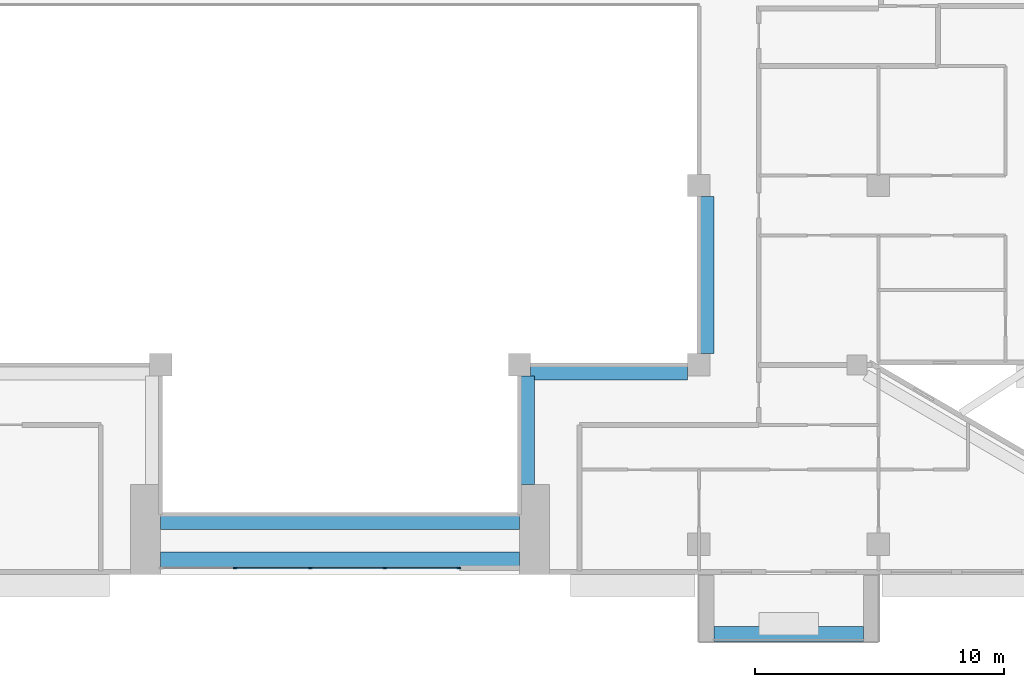
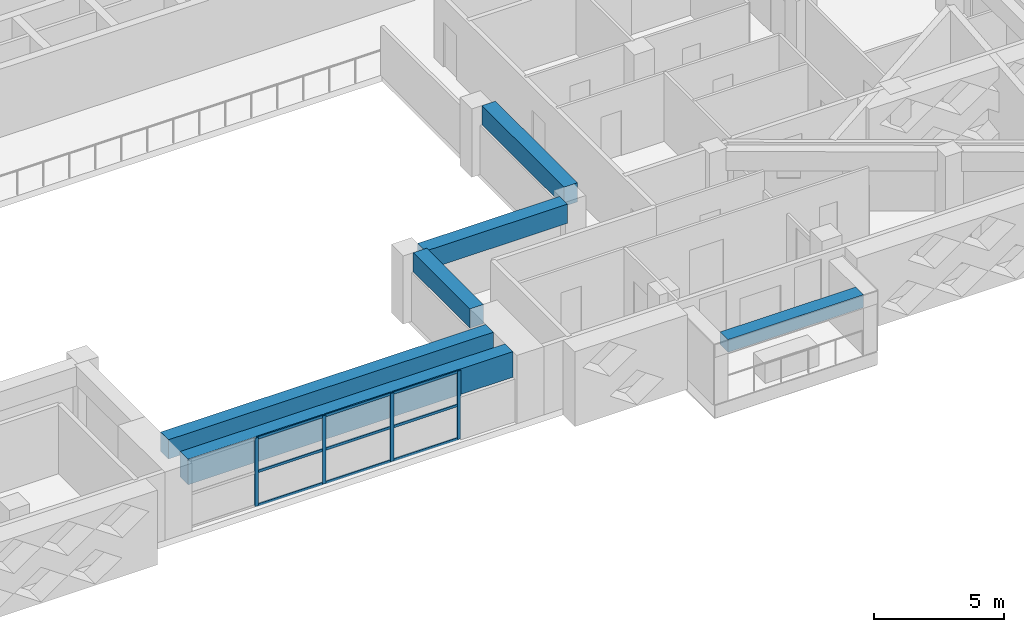
# One storey, part 4 of 20: 13 members, 6 beams, 1 element without a shape of its own.
"""IFC4 building model written with IfcOpenShell, lengths in metres."""

from ifc_helpers import new_model, si_unit, direction, frame, origin, origin_2d, place, context, subcontext, project, spatial, rectangle, extrude, source, transform, mapped, material, layer, layer_set, material_profile, profile_set, type_object, element, aggregate, save


model = new_model("IFC4")

# Units and contexts
model_context = context("Model", 3, precision=1e-05, world=origin(), true_north=direction((0.0, 1.0)))
body_context = subcontext(model_context, "Body", "Model", "MODEL_VIEW")
ifc_project = project(units=[si_unit("LENGTHUNIT", "METRE"), si_unit("AREAUNIT", "SQUARE_METRE"), si_unit("VOLUMEUNIT", "CUBIC_METRE"), si_unit("PLANEANGLEUNIT", "RADIAN"), si_unit("MASSUNIT", "GRAM", prefix="KILO")], contexts=[model_context])

# Site, building, storey
site_placement = place(None, origin())
site = spatial("IfcSite", under=ifc_project, at=site_placement, CompositionType="ELEMENT")
building_placement = place(site_placement, origin())
building = spatial("IfcBuilding", under=site, at=building_placement, Name="Saffron Iwan Residences", CompositionType="ELEMENT")
storey_placement = place(building_placement, frame((0.0, 0.0, 188.5)))
storey = spatial("IfcBuildingStorey", under=building, at=storey_placement, Name="L50", CompositionType="ELEMENT", Elevation=188.5)

# Beams
ifc_material_1 = material(Name="Concrete C50/60", Category="concrete")
ifc_material_profile_1 = material_profile(ifc_material_1, rectangle(XDim=0.60009765625, YDim=1.199951171875, at=origin_2d()), Name="RC 600x1200")
ifc_profile_set_1 = profile_set([ifc_material_profile_1], Name="Concrete C50/60")
beam_type_1 = type_object("IfcBeamType", Name="LINTEL BEAM RC 600x1200 C50/60 TOP 3200", PredefinedType="LINTEL", material=ifc_profile_set_1)
shared_shape_1 = source(origin(), body_context, "Body", "SweptSolid", [
    extrude(rectangle(XDim=0.60009765625, YDim=1.199951171875, at=origin_2d()), origin(), (0.0, 0.0, 1.0), 14.400146484375),
])
beam_1_placement = place(storey_placement, frame((57.60009765625, 40.199951171875, 2.60009765625), z_axis=(-1.0, 0.0, 0.0), x_axis=(0.0, -1.0, 0.0)))
element("IfcBeam", 1, at=beam_1_placement, inside=storey, type_object=beam_type_1, Name="Lintel beam over the iwan", PredefinedType="LINTEL", context=body_context, shape_type="MappedRepresentation", body=[
    mapped(shared_shape_1, transform((0.0, 0.0, 0.0))),
])
ifc_material_profile_2 = material_profile(ifc_material_1, rectangle(XDim=0.60009765625, YDim=0.89990234375, at=origin_2d()), Name="RC 600x900")
ifc_profile_set_2 = profile_set([ifc_material_profile_2], Name="Concrete C50/60")
beam_type_2 = type_object("IfcBeamType", Name="BEAM RC 600x900 C50/60 TOP 3200", PredefinedType="BEAM", material=ifc_profile_set_2)
shared_shape_2 = source(origin(), body_context, "Body", "SweptSolid", [
    extrude(rectangle(XDim=0.60009765625, YDim=0.89990234375, at=origin_2d()), origin(), (0.0, 0.0, 1.0), 14.400146484375),
])
beam_2_placement = place(storey_placement, frame((57.60009765625, 41.699951171875, 2.75), z_axis=(-1.0, 0.0, 0.0), x_axis=(0.0, -1.0, 0.0)))
element("IfcBeam", 2, at=beam_2_placement, inside=storey, type_object=beam_type_2, Name="Atrium edge beam", PredefinedType="BEAM", context=body_context, shape_type="MappedRepresentation", body=[
    mapped(shared_shape_2, transform((0.0, 0.0, 0.0))),
])
shared_shape_3 = source(origin(), body_context, "Body", "SweptSolid", [
    extrude(rectangle(XDim=0.60009765625, YDim=0.89990234375, at=origin_2d()), origin(), (0.0, 0.0, 1.0), 4.35009765625),
])
beam_3_placement = place(storey_placement, frame((57.89990234375, 47.550048828125, 2.75), z_axis=(0.0, -1.0, 0.0), x_axis=(1.0, 0.0, 0.0)))
element("IfcBeam", 3, at=beam_3_placement, inside=storey, type_object=beam_type_2, Name="Atrium edge beam", PredefinedType="BEAM", context=body_context, shape_type="MappedRepresentation", body=[
    mapped(shared_shape_3, transform((0.0, 0.0, 0.0))),
])
shared_shape_4 = source(origin(), body_context, "Body", "SweptSolid", [
    extrude(rectangle(XDim=0.60009765625, YDim=0.89990234375, at=origin_2d()), origin(), (0.0, 0.0, 1.0), 6.300048828125),
])
for number, where, z_axis, x_axis, name in (
    (4, (64.35009765625, 47.699951171875, 2.75), (-1.0, 0.0, 0.0), (0.0, -1.0, 0.0), "Atrium edge beam"),
    (5, (65.10009765625, 54.75, 2.75), (0.0, -1.0, 0.0), (1.0, 0.0, 0.0), "Atrium edge beam"),
):
    element("IfcBeam", number, at=place(storey_placement, frame(where, z_axis=z_axis, x_axis=x_axis)), inside=storey, type_object=beam_type_2, Name=name, PredefinedType="BEAM", context=body_context, shape_type="MappedRepresentation", body=[
        mapped(shared_shape_4, transform((0.0, 0.0, 0.0))),
    ])

# Curtain wall, members
ifc_material_2 = material(Name="Clear glass, laminated double glazed", Category="glass")
ifc_layer = layer(ifc_material_2, 0.199951171875)
ifc_layer_set = layer_set([ifc_layer], Name="Clear glass, laminated double glazed")
curtain_wall_type = type_object("IfcCurtainWallType", Name="CW-B IWAN PORTAL", PredefinedType="NOTDEFINED", material=ifc_layer_set)
curtain_wall_placement = place(storey_placement, origin())
curtain_wall = element("IfcCurtainWall", 6, at=curtain_wall_placement, inside=storey, type_object=curtain_wall_type, Name="Iwan portal glazing L50.1", PredefinedType="NOTDEFINED")
ifc_material_3 = material(Name="Aluminium 6063-T6", Category="aluminium")
ifc_material_profile_3 = material_profile(ifc_material_3, rectangle(XDim=0.06005859375, YDim=0.1201171875, at=origin_2d()), Name="CW-B TRANSOM 60 x 120")
ifc_profile_set_3 = profile_set([ifc_material_profile_3], Name="Aluminium 6063-T6")
member_type_1 = type_object("IfcMemberType", Name="CW-B TRANSOM 60 x 120", PredefinedType="USERDEFINED", material=ifc_profile_set_3)
shared_shape_5 = source(origin(), body_context, "Body", "SweptSolid", [
    extrude(rectangle(XDim=0.06005859375, YDim=0.1201171875, at=origin_2d()), origin(), (0.0, 0.0, 1.0), 2.909912109375),
])
member_1_placement = place(storey_placement, frame((52.22998046875, 39.85009765625, 0.030029296875), z_axis=(1.0, 0.0, 0.0), x_axis=(0.0, 1.0, 0.0)))
member_1 = element("IfcMember", 7, at=member_1_placement, type_object=member_type_1, Name="CW-B transom 4.1", ObjectType="TRANSOM", PredefinedType="USERDEFINED", context=body_context, shape_type="MappedRepresentation", body=[
    mapped(shared_shape_5, transform((0.0, 0.0, 0.0))),
])
member_2_placement = place(storey_placement, frame((52.22998046875, 39.85009765625, 1.60009765625), z_axis=(1.0, 0.0, 0.0), x_axis=(0.0, 1.0, 0.0)))
member_2 = element("IfcMember", 8, at=member_2_placement, type_object=member_type_1, Name="CW-B transom 4.2", ObjectType="TRANSOM", PredefinedType="USERDEFINED", context=body_context, shape_type="MappedRepresentation", body=[
    mapped(shared_shape_5, transform((0.0, 0.0, 0.0))),
])
member_3_placement = place(storey_placement, frame((52.22998046875, 39.85009765625, 3.169921875), z_axis=(1.0, 0.0, 0.0), x_axis=(0.0, 1.0, 0.0)))
member_3 = element("IfcMember", 9, at=member_3_placement, type_object=member_type_1, Name="CW-B transom 4.3", ObjectType="TRANSOM", PredefinedType="USERDEFINED", context=body_context, shape_type="MappedRepresentation", body=[
    mapped(shared_shape_5, transform((0.0, 0.0, 0.0))),
])
shared_shape_6 = source(origin(), body_context, "Body", "SweptSolid", [
    extrude(rectangle(XDim=0.06005859375, YDim=0.1201171875, at=origin_2d()), origin(), (0.0, 0.0, 1.0), 2.93994140625),
])
member_4_placement = place(storey_placement, frame((46.22998046875, 39.85009765625, 0.030029296875), z_axis=(1.0, 0.0, 0.0), x_axis=(0.0, 1.0, 0.0)))
member_4 = element("IfcMember", 10, at=member_4_placement, type_object=member_type_1, Name="CW-B transom 2.1", ObjectType="TRANSOM", PredefinedType="USERDEFINED", context=body_context, shape_type="MappedRepresentation", body=[
    mapped(shared_shape_6, transform((0.0, 0.0, 0.0))),
])
member_5_placement = place(storey_placement, frame((46.22998046875, 39.85009765625, 1.60009765625), z_axis=(1.0, 0.0, 0.0), x_axis=(0.0, 1.0, 0.0)))
member_5 = element("IfcMember", 11, at=member_5_placement, type_object=member_type_1, Name="CW-B transom 2.2", ObjectType="TRANSOM", PredefinedType="USERDEFINED", context=body_context, shape_type="MappedRepresentation", body=[
    mapped(shared_shape_6, transform((0.0, 0.0, 0.0))),
])
member_6_placement = place(storey_placement, frame((46.22998046875, 39.85009765625, 3.169921875), z_axis=(1.0, 0.0, 0.0), x_axis=(0.0, 1.0, 0.0)))
member_6 = element("IfcMember", 12, at=member_6_placement, type_object=member_type_1, Name="CW-B transom 2.3", ObjectType="TRANSOM", PredefinedType="USERDEFINED", context=body_context, shape_type="MappedRepresentation", body=[
    mapped(shared_shape_6, transform((0.0, 0.0, 0.0))),
])
member_7_placement = place(storey_placement, frame((49.22998046875, 39.85009765625, 0.030029296875), z_axis=(1.0, 0.0, 0.0), x_axis=(0.0, 1.0, 0.0)))
member_7 = element("IfcMember", 13, at=member_7_placement, type_object=member_type_1, Name="CW-B transom 3.1", ObjectType="TRANSOM", PredefinedType="USERDEFINED", context=body_context, shape_type="MappedRepresentation", body=[
    mapped(shared_shape_6, transform((0.0, 0.0, 0.0))),
])
member_8_placement = place(storey_placement, frame((49.22998046875, 39.85009765625, 1.60009765625), z_axis=(1.0, 0.0, 0.0), x_axis=(0.0, 1.0, 0.0)))
member_8 = element("IfcMember", 14, at=member_8_placement, type_object=member_type_1, Name="CW-B transom 3.2", ObjectType="TRANSOM", PredefinedType="USERDEFINED", context=body_context, shape_type="MappedRepresentation", body=[
    mapped(shared_shape_6, transform((0.0, 0.0, 0.0))),
])
member_9_placement = place(storey_placement, frame((49.22998046875, 39.85009765625, 3.169921875), z_axis=(1.0, 0.0, 0.0), x_axis=(0.0, 1.0, 0.0)))
member_9 = element("IfcMember", 15, at=member_9_placement, type_object=member_type_1, Name="CW-B transom 3.3", ObjectType="TRANSOM", PredefinedType="USERDEFINED", context=body_context, shape_type="MappedRepresentation", body=[
    mapped(shared_shape_6, transform((0.0, 0.0, 0.0))),
])

# Beam
ifc_material_4 = material(Name="Concrete C50/60 white painted", Category="concrete")
ifc_material_profile_4 = material_profile(ifc_material_4, rectangle(XDim=0.60009765625, YDim=0.60009765625, at=origin_2d()), Name="BALCONY FASCIA BEAM 600 x 600")
ifc_profile_set_4 = profile_set([ifc_material_profile_4], Name="Concrete C50/60 white painted")
beam_type_3 = type_object("IfcBeamType", Name="BALCONY FASCIA BEAM 600 x 600", PredefinedType="BEAM", material=ifc_profile_set_4)
shared_shape_7 = source(origin(), body_context, "Body", "SweptSolid", [
    extrude(rectangle(XDim=0.60009765625, YDim=0.60009765625, at=origin_2d()), origin(), (0.0, 0.0, 1.0), 6.0),
])
beam_4_placement = place(storey_placement, frame((65.39990234375, 37.199951171875, 2.550048828125), z_axis=(1.0, 0.0, 0.0), x_axis=(0.0, 1.0, 0.0)))
element("IfcBeam", 16, at=beam_4_placement, inside=storey, type_object=beam_type_3, Name="Balcony fascia beam L50 11-1", PredefinedType="BEAM", context=body_context, shape_type="MappedRepresentation", body=[
    mapped(shared_shape_7, transform((0.0, 0.0, 0.0))),
])

# Member
ifc_material_profile_5 = material_profile(ifc_material_3, rectangle(XDim=0.06005859375, YDim=0.159912109375, at=origin_2d()), Name="CW-B MULLION 60 x 160")
ifc_profile_set_5 = profile_set([ifc_material_profile_5], Name="Aluminium 6063-T6")
member_type_2 = type_object("IfcMemberType", Name="CW-B MULLION 60 x 160", PredefinedType="MULLION", material=ifc_profile_set_5)
shared_shape_8 = source(origin(), body_context, "Body", "SweptSolid", [
    extrude(rectangle(XDim=0.06005859375, YDim=0.159912109375, at=origin_2d()), origin(), (0.0, 0.0, 1.0), 3.199951171875),
])
member_10_placement = place(storey_placement, frame((46.199951171875, 39.85009765625, 0.0), z_axis=(0.0, 0.0, 1.0), x_axis=(0.0, 1.0, 0.0)))
member_10 = element("IfcMember", 17, at=member_10_placement, type_object=member_type_2, Name="CW-B mullion 2", PredefinedType="MULLION", context=body_context, shape_type="MappedRepresentation", body=[
    mapped(shared_shape_8, transform((0.0, 0.0, 0.0))),
])

member_11_placement = place(storey_placement, frame((49.199951171875, 39.85009765625, 0.0), z_axis=(0.0, 0.0, 1.0), x_axis=(0.0, 1.0, 0.0)))
member_11 = element("IfcMember", 18, at=member_11_placement, type_object=member_type_2, Name="CW-B mullion 3", PredefinedType="MULLION", context=body_context, shape_type="MappedRepresentation", body=[
    mapped(shared_shape_8, transform((0.0, 0.0, 0.0))),
])

member_12_placement = place(storey_placement, frame((52.199951171875, 39.85009765625, 0.0), z_axis=(0.0, 0.0, 1.0), x_axis=(0.0, 1.0, 0.0)))
member_12 = element("IfcMember", 19, at=member_12_placement, type_object=member_type_2, Name="CW-B mullion 4", PredefinedType="MULLION", context=body_context, shape_type="MappedRepresentation", body=[
    mapped(shared_shape_8, transform((0.0, 0.0, 0.0))),
])

member_13_placement = place(storey_placement, frame((55.169921875, 39.85009765625, 0.0), z_axis=(0.0, 0.0, 1.0), x_axis=(0.0, 1.0, 0.0)))
member_13 = element("IfcMember", 20, at=member_13_placement, type_object=member_type_2, Name="CW-B mullion 5", PredefinedType="MULLION", context=body_context, shape_type="MappedRepresentation", body=[
    mapped(shared_shape_8, transform((0.0, 0.0, 0.0))),
])

aggregate(curtain_wall, [member_10, member_11, member_12, member_13, member_4, member_5, member_6, member_7, member_8, member_9, member_1, member_2, member_3])

save(model, "model.ifc")
